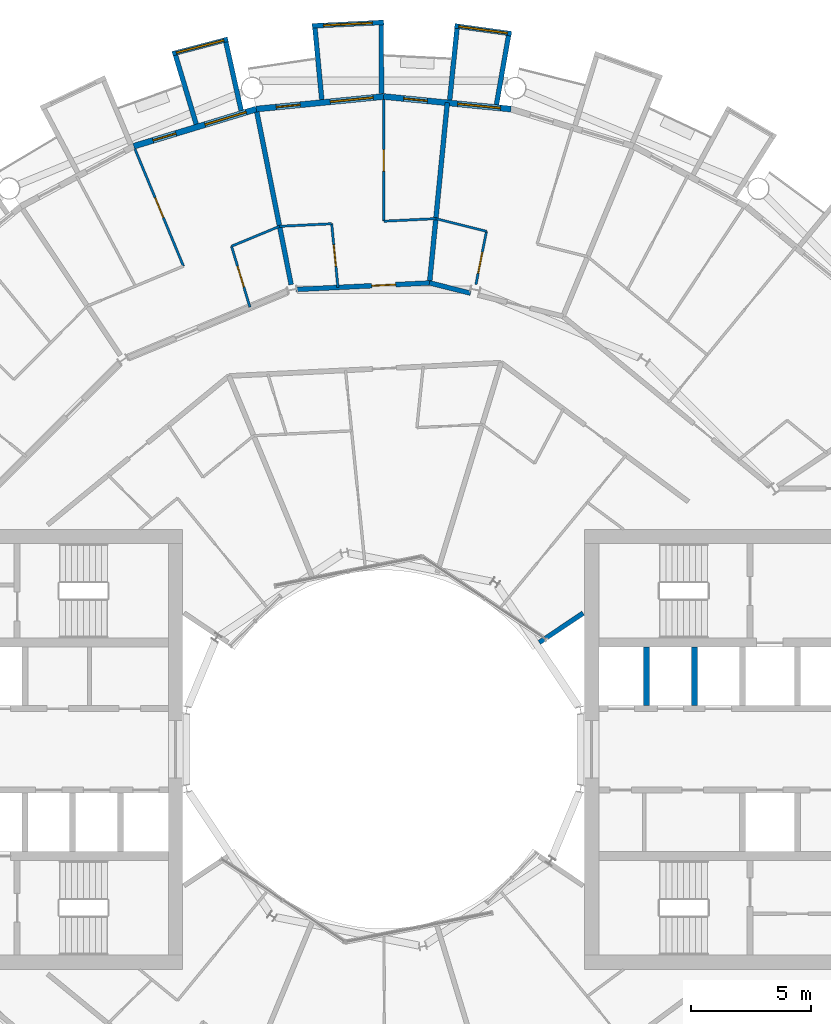
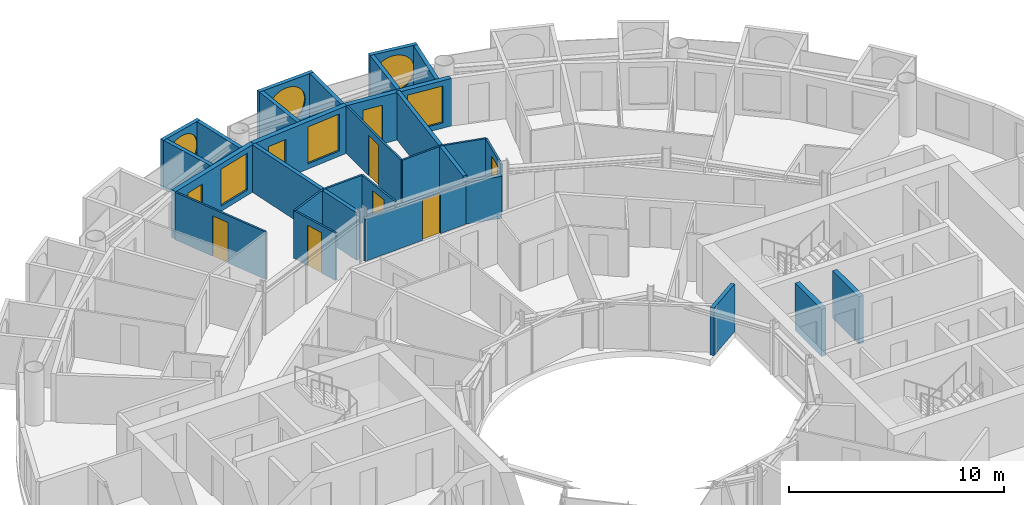
# One storey, part 21 of 27: 28 walls, 9 doors, 6 windows, 15 openings.
"""IFC4 building model written with IfcOpenShell, lengths in metres."""

import ifcopenshell
import ifcopenshell.guid

model = None  # the IFC model being written
_history = None  # IfcOwnerHistory: only IFC2X3 demands one
_inside = {}  # id of a spatial element -> (the spatial element, [elements in it])
_under = {}  # id of a project, library or spatial element -> (it, [spatial elements below it])
_declared = {}  # id of a project -> (the project, [libraries it declares])
_typed = {}  # id of a type object -> (the type object, [elements of that type])
_made_of = {}  # id of a material, layer set ... -> (it, [elements and type objects made of it])


def new_model(schema):
    """Start an empty IFC model of exactly this schema.

    Asked for "IFC4X3", IfcOpenShell would pick the latest addendum, in which some entities
    have other attributes; the version numbers below select the first issue.
    IFC2X3 requires an IfcOwnerHistory on every rooted entity: one is made here for all.
    """
    global model, _history
    if schema == "IFC4X3":
        model = ifcopenshell.file(schema_version=(4, 3, 0, 0))
    else:
        model = ifcopenshell.file(schema=schema)
    _inside.clear()
    _under.clear()
    _declared.clear()
    _typed.clear()
    _made_of.clear()
    _history = None
    if model.schema == "IFC2X3":
        org = make("IfcOrganization", Name="unknown")
        user = make(
            "IfcPersonAndOrganization",
            ThePerson=make("IfcPerson", FamilyName="unknown"),
            TheOrganization=org,
        )
        app = make(
            "IfcApplication",
            ApplicationDeveloper=org,
            Version="unknown",
            ApplicationFullName="unknown",
            ApplicationIdentifier="unknown",
        )
        _history = make(
            "IfcOwnerHistory",
            OwningUser=user,
            OwningApplication=app,
            ChangeAction="ADDED",
            CreationDate=0,
        )
    return model


def make(cls, **values):
    """One entity of the class cls with the attributes given. An attribute that is None is left unset."""
    return model.create_entity(
        cls, **{name: value for name, value in values.items() if value is not None}
    )


def rooted(cls, **values):
    """An entity with a GlobalId (a new one), such as an element, a storey or a relation."""
    return make(cls, GlobalId=ifcopenshell.guid.new(), OwnerHistory=_history, **values)


def si_unit(unit_type, name, prefix=None):
    """IfcSIUnit, for example si_unit("LENGTHUNIT", "METRE", prefix="MILLI")."""
    return make("IfcSIUnit", UnitType=unit_type, Prefix=prefix, Name=name)


def assignment(units):
    """IfcUnitAssignment: the units of a project."""
    return None if units is None else make("IfcUnitAssignment", Units=units)


def point(xyz):
    """IfcCartesianPoint."""
    return None if xyz is None else make("IfcCartesianPoint", Coordinates=xyz)


def direction(xyz):
    """IfcDirection."""
    return None if xyz is None else make("IfcDirection", DirectionRatios=xyz)


def frame(location, z_axis=None, x_axis=None):
    """IfcAxis2Placement3D, a coordinate frame: its origin and axes. An axis left out is left unset."""
    return make(
        "IfcAxis2Placement3D",
        Location=point(location),
        Axis=direction(z_axis),
        RefDirection=direction(x_axis),
    )


def frame_2d(location, x_axis=None):
    """IfcAxis2Placement2D, a coordinate frame in the plane: its origin and x axis."""
    return make(
        "IfcAxis2Placement2D", Location=point(location), RefDirection=direction(x_axis)
    )


def origin():
    """The frame at (0, 0, 0) with its axes left unset."""
    return frame((0.0, 0.0, 0.0))


def place(relative_to, where):
    """IfcLocalPlacement: puts the frame where relative to a parent placement (None: the world)."""
    return make(
        "IfcLocalPlacement", PlacementRelTo=relative_to, RelativePlacement=where
    )


def context(
    kind, dimensions, precision=None, world=None, true_north=None, identifier=None
):
    """IfcGeometricRepresentationContext, for example the 3D "Model" context."""
    return make(
        "IfcGeometricRepresentationContext",
        ContextIdentifier=identifier,
        ContextType=kind,
        CoordinateSpaceDimension=dimensions,
        Precision=precision,
        WorldCoordinateSystem=world,
        TrueNorth=true_north,
    )


def subcontext(parent, identifier, kind, view, scale=None):
    """IfcGeometricRepresentationSubContext, for example "Body" below "Model"."""
    return make(
        "IfcGeometricRepresentationSubContext",
        ContextIdentifier=identifier,
        ContextType=kind,
        ParentContext=parent,
        TargetScale=scale,
        TargetView=view,
    )


def project(units=None, contexts=None):
    """IfcProject with its units and contexts."""
    return rooted(
        "IfcProject",
        Name="project",
        RepresentationContexts=contexts,
        UnitsInContext=assignment(units),
    )


def spatial(cls, under=None, at=None, **own):
    """A site, building, storey or space (cls), placed at a placement, below another one or the project."""
    s = rooted(cls, ObjectPlacement=at, **own)
    if under is not None:
        _under.setdefault(under.id(), (under, []))[1].append(s)
    return s


def profile(cls, at=None, kind="AREA", **sizes):
    """A parametric profile (cls). Its sizes go by their IFC names, for example OverallWidth=200.0."""
    return make(cls, ProfileType=kind, Position=at, **sizes)


def rectangle(**sizes):
    """IfcRectangleProfileDef."""
    return profile("IfcRectangleProfileDef", **sizes)


def circle(**sizes):
    """IfcCircleProfileDef."""
    return profile("IfcCircleProfileDef", **sizes)


def extrude(swept, where, along, depth):
    """IfcExtrudedAreaSolid: the profile swept, set in the frame where, extruded along a direction by depth."""
    return make(
        "IfcExtrudedAreaSolid",
        SweptArea=swept,
        Position=where,
        ExtrudedDirection=direction(along),
        Depth=depth,
    )


def shape(context_of_items, identifier, shape_type, items):
    """IfcShapeRepresentation: the items that make up one representation, for example the "Body"."""
    return make(
        "IfcShapeRepresentation",
        ContextOfItems=context_of_items,
        RepresentationIdentifier=identifier,
        RepresentationType=shape_type,
        Items=items,
    )


def material(Name=None, Category=None):
    """IfcMaterial."""
    return make("IfcMaterial", Name=Name, Category=Category)


def layer(
    of_material, thickness, ventilated=None, Name=None, Category=None, Priority=None
):
    """IfcMaterialLayer: one layer of a wall or slab, of a material (None: an air gap)."""
    return make(
        "IfcMaterialLayer",
        Material=of_material,
        LayerThickness=thickness,
        IsVentilated=ventilated,
        Name=Name,
        Category=Category,
        Priority=Priority,
    )


def layer_set(layers, Name=None):
    """IfcMaterialLayerSet."""
    return make("IfcMaterialLayerSet", MaterialLayers=layers, LayerSetName=Name)


def made_of(thing, what):
    """Note that an element or type object is made of a material, layer set ...; save() writes the relation."""
    if what is not None:
        _made_of.setdefault(what.id(), (what, []))[1].append(thing)
    return thing


def type_object(cls, material=None, **own):
    """A type object (cls), such as IfcWallType, which elements share."""
    return made_of(rooted(cls, **own), material)


def element(
    cls,
    number,
    at=None,
    inside=None,
    cuts=None,
    type_object=None,
    material=None,
    context=None,
    identifier="Body",
    shape_type=None,
    held_by="IfcProductDefinitionShape",
    body=None,
    shapes=None,
    **own,
):
    """One element of the class cls, such as IfcWall. Its Tag is "e" and its number.

    at: its placement. inside: the storey or other place that contains it. cuts: it is an
    opening in that element (IfcRelVoidsElement). A single representation is given by context,
    identifier, shape_type and body (its items); several are given by shapes. held_by: the class
    of the entity that holds the representations. save() writes the other relations.
    """
    e = rooted(cls, Tag="e%d" % number, ObjectPlacement=at, **own)
    if body is not None:
        shapes = [shape(context, identifier, shape_type, body)]
    if shapes is not None:
        e.Representation = make(held_by, Representations=shapes)
    if inside is not None:
        _inside.setdefault(inside.id(), (inside, []))[1].append(e)
    if cuts is not None:
        rooted(
            "IfcRelVoidsElement", RelatingBuildingElement=cuts, RelatedOpeningElement=e
        )
    if type_object is not None:
        _typed.setdefault(type_object.id(), (type_object, []))[1].append(e)
    return made_of(e, material)


def fill(opening, filler):
    """IfcRelFillsElement: the door or window that sits in an opening."""
    return rooted(
        "IfcRelFillsElement",
        RelatingOpeningElement=opening,
        RelatedBuildingElement=filler,
    )


def aggregate(whole, parts):
    """IfcRelAggregates: a whole, such as a stair, and the parts it consists of."""
    return rooted("IfcRelAggregates", RelatingObject=whole, RelatedObjects=parts)


def save(model, path):
    """Write the relations noted so far, then the file.

    IfcRelAggregates (storeys below a building ...), IfcRelContainedInSpatialStructure (elements
    in a storey), IfcRelDefinesByType, IfcRelAssociatesMaterial and IfcRelDeclares: one each for
    every whole, place, type object, material and project.
    """
    for whole, parts in _under.values():
        aggregate(whole, parts)
    for where, things in _inside.values():
        rooted(
            "IfcRelContainedInSpatialStructure",
            RelatedElements=things,
            RelatingStructure=where,
        )
    for kind, things in _typed.values():
        rooted("IfcRelDefinesByType", RelatedObjects=things, RelatingType=kind)
    for what, things in _made_of.values():
        rooted("IfcRelAssociatesMaterial", RelatedObjects=things, RelatingMaterial=what)
    for by, libraries in _declared.values():
        rooted("IfcRelDeclares", RelatingContext=by, RelatedDefinitions=libraries)
    model.write(path)


model = new_model("IFC4")

# Units and contexts
model_context = context("Model", 3, precision=1e-05, world=origin(), true_north=direction((0.0, 1.0)))
body_context = subcontext(model_context, "Body", "Model", "MODEL_VIEW")
ifc_project = project(units=[si_unit("LENGTHUNIT", "METRE"), si_unit("AREAUNIT", "SQUARE_METRE"), si_unit("VOLUMEUNIT", "CUBIC_METRE"), si_unit("PLANEANGLEUNIT", "RADIAN"), si_unit("MASSUNIT", "GRAM", prefix="KILO")], contexts=[model_context])

# Site, building, storey
site_placement = place(None, origin())
site = spatial("IfcSite", under=ifc_project, at=site_placement, CompositionType="ELEMENT")
building_placement = place(site_placement, origin())
building = spatial("IfcBuilding", under=site, at=building_placement, Name="Maasbend Ring Residences", CompositionType="ELEMENT")
storey_placement = place(building_placement, frame((0.0, 0.0, 114.699951171875)))
storey = spatial("IfcBuildingStorey", under=building, at=storey_placement, Name="L32", CompositionType="ELEMENT", Elevation=114.699951171875)

# Wall, opening, door
ifc_material_1 = material(Name="Concrete C30/37", Category="concrete")
ifc_layer_1 = layer(ifc_material_1, 0.199951171875)
ifc_layer_set_1 = layer_set([ifc_layer_1], Name="Concrete C30/37")
wall_type_1 = type_object("IfcWallType", Name="CORRIDOR WALL 200 CONCRETE", PredefinedType="PARTITIONING", material=ifc_layer_set_1)
wall_1_placement = place(storey_placement, frame((-3.6689453125, 19.23095703125, 0.0), z_axis=(0.0, 0.0, 1.0), x_axis=(0.998803644396, 0.048900715146, 0.0)))
wall_1 = element("IfcWall", 1, at=wall_1_placement, inside=storey, type_object=wall_type_1, Name="U-L32-w102", PredefinedType="PARTITIONING", context=body_context, shape_type="SweptSolid", body=[
    extrude(rectangle(XDim=5.6015625, YDim=0.199951171875, at=frame_2d((2.80078125, 0.0))), origin(), (0.0, 0.0, 1.0), 2.39013671875),
])
opening_1_placement = place(wall_1_placement, frame((3.178955078125, 0.0, 0.0)))
opening_1 = element("IfcOpeningElement", 2, at=opening_1_placement, cuts=wall_1, Name="Opening D-3210", PredefinedType="OPENING", context=body_context, shape_type="SweptSolid", body=[
    extrude(rectangle(XDim=1.0, YDim=2.300048828125, at=frame_2d((0.5, 1.14990234375))), frame((0.0, 0.10986328125, 0.0), z_axis=(0.0, -1.0, 0.0), x_axis=(1.0, 0.0, 0.0)), (0.0, 0.0, 1.0), 0.219970703125),
])
ifc_material_2 = material(Name="Timber, fire-rated, painted", Category="wood")
door_type_1 = type_object("IfcDoorType", Name="FLAT ENTRANCE DOOR 1000 X 2300 FIRE-RATED", OperationType="NOTDEFINED", PredefinedType="DOOR", material=ifc_material_2)
door_1_placement = place(opening_1_placement, origin())
door_1 = element("IfcDoor", 3, at=door_1_placement, inside=storey, type_object=door_type_1, Name="D-3210", OperationType="SINGLE_SWING_RIGHT", OverallHeight=2.300048828125, OverallWidth=1.0, PredefinedType="DOOR", context=body_context, shape_type="SweptSolid", body=[
    extrude(rectangle(XDim=1.0, YDim=2.300048828125, at=frame_2d((0.5, 1.14990234375))), frame((0.0, 0.02490234375, 0.0), z_axis=(0.0, -1.0, 0.0), x_axis=(1.0, 0.0, 0.0)), (0.0, 0.0, 1.0), 0.050048828125),
])
fill(opening_1, door_1)

# Wall
wall_2_placement = place(storey_placement, frame((1.9208984375, 19.506103515625, 0.0), z_axis=(0.0, 0.0, 1.0), x_axis=(0.97002068022, -0.243022385689, 0.0)))
element("IfcWall", 4, at=wall_2_placement, inside=storey, type_object=wall_type_1, Name="U-L32-w103", PredefinedType="PARTITIONING", context=body_context, shape_type="SweptSolid", body=[
    extrude(rectangle(XDim=1.77001953125, YDim=0.199951171875, at=frame_2d((0.885009765625, 0.0))), origin(), (0.0, 0.0, 1.0), 2.39013671875),
])

# Wall, opening, window
ifc_material_3 = material(Name="Pale anodised aluminium panel", Category="aluminium")
ifc_layer_2 = layer(ifc_material_3, 0.199951171875)
ifc_layer_set_2 = layer_set([ifc_layer_2], Name="EW-BOX")
wall_type_2 = type_object("IfcWallType", Name="EW-BOX", PredefinedType="SOLIDWALL", material=ifc_layer_set_2)
wall_3_placement = place(storey_placement, frame((5.344970703125, 29.927001953125, -0.030029296875), z_axis=(0.0, 0.0, 1.0), x_axis=(-0.99061207328, 0.136703036805, 0.0)))
wall_3 = element("IfcWall", 5, at=wall_3_placement, inside=storey, type_object=wall_type_2, Name="Box front N09", PredefinedType="SOLIDWALL", context=body_context, shape_type="SweptSolid", body=[
    extrude(rectangle(XDim=2.391357421875, YDim=0.199951171875, at=frame_2d((1.19580078125, 0.0))), origin(), (0.0, 0.0, 1.0), 2.72998046875),
])
opening_2_placement = place(wall_3_placement, frame((0.15576171875, 0.0, 0.330078125)))
opening_2 = element("IfcOpeningElement", 6, at=opening_2_placement, cuts=wall_3, Name="Opening W-RD", PredefinedType="OPENING", context=body_context, shape_type="SweptSolid", body=[
    extrude(circle(Radius=1.0400390625, at=frame_2d((1.0400390625, 1.0400390625))), frame((0.0, 0.10986328125, 0.0), z_axis=(0.0, -1.0, 0.0), x_axis=(1.0, 0.0, 0.0)), (0.0, 0.0, 1.0), 0.219970703125),
])
ifc_material_4 = material(Name="Aluminium and clear glass", Category="aluminium")
window_type_1 = type_object("IfcWindowType", Name="W-RD", PartitioningType="SINGLE_PANEL", PredefinedType="WINDOW", material=ifc_material_4)
window_1_placement = place(opening_2_placement, origin())
window_1 = element("IfcWindow", 7, at=window_1_placement, inside=storey, type_object=window_type_1, Name="Round window N09", OverallHeight=2.080078125, OverallWidth=2.080078125, PartitioningType="SINGLE_PANEL", PredefinedType="WINDOW", context=body_context, shape_type="SweptSolid", body=[
    extrude(circle(Radius=1.0400390625, at=frame_2d((1.0400390625, 1.0400390625))), frame((0.0, 0.030029296875, 0.0), z_axis=(0.0, -1.0, 0.0), x_axis=(1.0, 0.0, 0.0)), (0.0, 0.0, 1.0), 0.06005859375),
])
fill(opening_2, window_1)

# Walls
wall_4_placement = place(storey_placement, frame((4.719970703125, 26.9609375, -0.030029296875), z_axis=(0.0, 0.0, 1.0), x_axis=(0.172463232037, 0.98501595601, 0.0)))
element("IfcWall", 8, at=wall_4_placement, inside=storey, type_object=wall_type_2, Name="Box side wall N09 left", PredefinedType="SOLIDWALL", context=body_context, shape_type="SweptSolid", body=[
    extrude(rectangle(XDim=2.928955078125, YDim=0.199951171875, at=frame_2d((1.46435546875, 0.0))), origin(), (0.0, 0.0, 1.0), 2.72998046875),
])
wall_5_placement = place(storey_placement, frame((2.763916015625, 27.153076171875, -0.030029296875), z_axis=(0.0, 0.0, 1.0), x_axis=(0.101505487237, 0.994834979311, 0.0)))
element("IfcWall", 9, at=wall_5_placement, inside=storey, type_object=wall_type_2, Name="Box side wall N09 right", PredefinedType="SOLIDWALL", context=body_context, shape_type="SweptSolid", body=[
    extrude(rectangle(XDim=3.006591796875, YDim=0.199951171875, at=frame_2d((1.50341796875, 0.0))), origin(), (0.0, 0.0, 1.0), 2.72998046875),
])

# Wall, opening, window
wall_6_placement = place(storey_placement, frame((0.0048828125, 30.39990234375, -0.030029296875), z_axis=(0.0, 0.0, 1.0), x_axis=(-0.998794083011, -0.049095618353, 0.0)))
wall_6 = element("IfcWall", 10, at=wall_6_placement, inside=storey, type_object=wall_type_2, Name="Box front N11", PredefinedType="SOLIDWALL", context=body_context, shape_type="SweptSolid", body=[
    extrude(rectangle(XDim=2.99365234375, YDim=0.199951171875, at=frame_2d((1.496826171875, 0.0))), origin(), (0.0, 0.0, 1.0), 2.72998046875),
])
opening_3_placement = place(wall_6_placement, frame((0.45654296875, 0.0, 0.330078125)))
opening_3 = element("IfcOpeningElement", 11, at=opening_3_placement, cuts=wall_6, Name="Opening W-RD", PredefinedType="OPENING", context=body_context, shape_type="SweptSolid", body=[
    extrude(circle(Radius=1.0400390625, at=frame_2d((1.0400390625, 1.0400390625))), frame((0.0, 0.10986328125, 0.0), z_axis=(0.0, -1.0, 0.0), x_axis=(1.0, 0.0, 0.0)), (0.0, 0.0, 1.0), 0.219970703125),
])
window_2_placement = place(opening_3_placement, origin())
window_2 = element("IfcWindow", 12, at=window_2_placement, inside=storey, type_object=window_type_1, Name="Round window N11", OverallHeight=2.080078125, OverallWidth=2.080078125, PartitioningType="SINGLE_PANEL", PredefinedType="WINDOW", context=body_context, shape_type="SweptSolid", body=[
    extrude(circle(Radius=1.0400390625, at=frame_2d((1.0400390625, 1.0400390625))), frame((0.0, 0.030029296875, 0.0), z_axis=(0.0, -1.0, 0.0), x_axis=(1.0, 0.0, 0.0)), (0.0, 0.0, 1.0), 0.06005859375),
])
fill(opening_3, window_2)

# Walls
wall_7_placement = place(storey_placement, frame((-0.090087890625, 27.4169921875, -0.030029296875), z_axis=(0.0, 0.0, 1.0), x_axis=(-0.00347308367, 0.999993968827, 0.0)))
element("IfcWall", 13, at=wall_7_placement, inside=storey, type_object=wall_type_2, Name="Box side wall N11 left", PredefinedType="SOLIDWALL", context=body_context, shape_type="SweptSolid", body=[
    extrude(rectangle(XDim=2.882080078125, YDim=0.199951171875, at=frame_2d((1.44091796875, 0.0))), origin(), (0.0, 0.0, 1.0), 2.72998046875),
])
wall_8_placement = place(storey_placement, frame((-2.5859375, 27.1708984375, -0.030029296875), z_axis=(0.0, 0.0, 1.0), x_axis=(-0.094548432284, 0.995520262954, 0.0)))
element("IfcWall", 14, at=wall_8_placement, inside=storey, type_object=wall_type_2, Name="Box side wall N11 right", PredefinedType="SOLIDWALL", context=body_context, shape_type="SweptSolid", body=[
    extrude(rectangle(XDim=3.005615234375, YDim=0.199951171875, at=frame_2d((1.5029296875, 0.0))), origin(), (0.0, 0.0, 1.0), 2.72998046875),
])

# Wall, opening, window
wall_9_placement = place(storey_placement, frame((-6.514892578125, 29.694091796875, -0.030029296875), z_axis=(0.0, 0.0, 1.0), x_axis=(-0.967554339146, -0.252663018266, 0.0)))
wall_9 = element("IfcWall", 15, at=wall_9_placement, inside=storey, type_object=wall_type_2, Name="Box front N13", PredefinedType="SOLIDWALL", context=body_context, shape_type="SweptSolid", body=[
    extrude(rectangle(XDim=2.390625, YDim=0.199951171875, at=frame_2d((1.1953125, 0.0))), origin(), (0.0, 0.0, 1.0), 2.72998046875),
])
opening_4_placement = place(wall_9_placement, frame((0.15576171875, 0.0, 0.330078125)))
opening_4 = element("IfcOpeningElement", 16, at=opening_4_placement, cuts=wall_9, Name="Opening W-RD", PredefinedType="OPENING", context=body_context, shape_type="SweptSolid", body=[
    extrude(circle(Radius=1.0400390625, at=frame_2d((1.0400390625, 1.0400390625))), frame((0.0, 0.10986328125, 0.0), z_axis=(0.0, -1.0, 0.0), x_axis=(1.0, 0.0, 0.0)), (0.0, 0.0, 1.0), 0.219970703125),
])
window_3_placement = place(opening_4_placement, origin())
window_3 = element("IfcWindow", 17, at=window_3_placement, inside=storey, type_object=window_type_1, Name="Round window N13", OverallHeight=2.080078125, OverallWidth=2.080078125, PartitioningType="SINGLE_PANEL", PredefinedType="WINDOW", context=body_context, shape_type="SweptSolid", body=[
    extrude(circle(Radius=1.0400390625, at=frame_2d((1.0400390625, 1.0400390625))), frame((0.0, 0.030029296875, 0.0), z_axis=(0.0, -1.0, 0.0), x_axis=(1.0, 0.0, 0.0)), (0.0, 0.0, 1.0), 0.06005859375),
])
fill(opening_4, window_3)

# Walls
wall_10_placement = place(storey_placement, frame((-5.95703125, 26.715087890625, -0.030029296875), z_axis=(0.0, 0.0, 1.0), x_axis=(-0.217857287091, 0.975980636315, 0.0)))
element("IfcWall", 18, at=wall_10_placement, inside=storey, type_object=wall_type_2, Name="Box side wall N13 left", PredefinedType="SOLIDWALL", context=body_context, shape_type="SweptSolid", body=[
    extrude(rectangle(XDim=2.92822265625, YDim=0.199951171875, at=frame_2d((1.464111328125, 0.0))), origin(), (0.0, 0.0, 1.0), 2.72998046875),
])
wall_11_placement = place(storey_placement, frame((-7.8369140625, 26.14404296875, -0.030029296875), z_axis=(0.0, 0.0, 1.0), x_axis=(-0.287064767992, 0.957911174889, 0.0)))
element("IfcWall", 19, at=wall_11_placement, inside=storey, type_object=wall_type_2, Name="Box side wall N13 right", PredefinedType="SOLIDWALL", context=body_context, shape_type="SweptSolid", body=[
    extrude(rectangle(XDim=3.00634765625, YDim=0.199951171875, at=frame_2d((1.503173828125, 0.0))), origin(), (0.0, 0.0, 1.0), 2.72998046875),
])

# Wall, openings, door, window
ifc_material_5 = material(Name="Aluminium clad insulated panel", Category="aluminium")
ifc_layer_3 = layer(ifc_material_5, 0.25)
ifc_layer_set_3 = layer_set([ifc_layer_3], Name="EW-GL")
wall_type_3 = type_object("IfcWallType", Name="EW-GL", PredefinedType="SOLIDWALL", material=ifc_layer_set_3)
wall_12_placement = place(storey_placement, frame((5.325927734375, 26.77490234375, 0.0), z_axis=(0.0, 0.0, 1.0), x_axis=(-0.995173996315, 0.098126026407, 0.0)))
wall_12 = element("IfcWall", 20, at=wall_12_placement, inside=storey, type_object=wall_type_3, Name="External wall N05", PredefinedType="SOLIDWALL", context=body_context, shape_type="SweptSolid", body=[
    extrude(rectangle(XDim=5.351806640625, YDim=0.25, at=frame_2d((2.67578125, 0.0))), origin(), (0.0, 0.0, 1.0), 2.699951171875),
])
opening_5_placement = place(wall_12_placement, frame((0.441162109375, 0.0, 0.300048828125)))
opening_5 = element("IfcOpeningElement", 21, at=opening_5_placement, cuts=wall_12, Name="Opening W-BX", PredefinedType="OPENING", context=body_context, shape_type="SweptSolid", body=[
    extrude(rectangle(XDim=1.800048828125, YDim=2.10009765625, at=frame_2d((0.89990234375, 1.050048828125))), frame((0.0, 0.135009765625, 0.0), z_axis=(0.0, -1.0, 0.0), x_axis=(1.0, 0.0, 0.0)), (0.0, 0.0, 1.0), 0.27001953125),
])
opening_6_placement = place(wall_12_placement, frame((3.510498046875, 0.0, 0.0)))
opening_6 = element("IfcOpeningElement", 22, at=opening_6_placement, cuts=wall_12, Name="Opening D-LG", PredefinedType="OPENING", context=body_context, shape_type="SweptSolid", body=[
    extrude(rectangle(XDim=1.0, YDim=2.199951171875, at=frame_2d((0.5, 1.10009765625))), frame((0.0, 0.135009765625, 0.0), z_axis=(0.0, -1.0, 0.0), x_axis=(1.0, 0.0, 0.0)), (0.0, 0.0, 1.0), 0.27001953125),
])
ifc_material_6 = material(Name="Aluminium and clear glass", Category="aluminium")
door_type_2 = type_object("IfcDoorType", Name="D-LG", OperationType="SINGLE_SWING_LEFT", PredefinedType="DOOR", material=ifc_material_6)
door_2_placement = place(opening_6_placement, origin())
door_2 = element("IfcDoor", 23, at=door_2_placement, inside=storey, type_object=door_type_2, Name="Loggia door N10", OperationType="SINGLE_SWING_LEFT", OverallHeight=2.199951171875, OverallWidth=1.0, PredefinedType="DOOR", context=body_context, shape_type="SweptSolid", body=[
    extrude(rectangle(XDim=1.0, YDim=2.199951171875, at=frame_2d((0.5, 1.10009765625))), frame((0.0, 0.02490234375, 0.0), z_axis=(0.0, -1.0, 0.0), x_axis=(1.0, 0.0, 0.0)), (0.0, 0.0, 1.0), 0.050048828125),
])
fill(opening_6, door_2)
ifc_material_7 = material(Name="Aluminium and clear glass", Category="aluminium")
window_type_2 = type_object("IfcWindowType", Name="W-BX", PartitioningType="DOUBLE_PANEL_VERTICAL", PredefinedType="WINDOW", material=ifc_material_7)
window_4_placement = place(opening_5_placement, origin())
window_4 = element("IfcWindow", 24, at=window_4_placement, inside=storey, type_object=window_type_2, Name="Window N09 room to box", OverallHeight=2.10009765625, OverallWidth=1.800048828125, PartitioningType="SINGLE_PANEL", PredefinedType="WINDOW", context=body_context, shape_type="SweptSolid", body=[
    extrude(rectangle(XDim=1.800048828125, YDim=2.10009765625, at=frame_2d((0.89990234375, 1.050048828125))), frame((0.0, 0.030029296875, 0.0), z_axis=(0.0, -1.0, 0.0), x_axis=(1.0, 0.0, 0.0)), (0.0, 0.0, 1.0), 0.06005859375),
])
fill(opening_5, window_4)

wall_13_placement = place(storey_placement, frame((0.0, 27.300048828125, 0.0), z_axis=(0.0, 0.0, 1.0), x_axis=(-0.995173996315, -0.098126026407, 0.0)))
wall_13 = element("IfcWall", 25, at=wall_13_placement, inside=storey, type_object=wall_type_3, Name="External wall N06", PredefinedType="SOLIDWALL", context=body_context, shape_type="SweptSolid", body=[
    extrude(rectangle(XDim=5.351806640625, YDim=0.25, at=frame_2d((2.67578125, 0.0))), origin(), (0.0, 0.0, 1.0), 2.699951171875),
])
opening_7_placement = place(wall_13_placement, frame((0.441162109375, 0.0, 0.300048828125)))
opening_7 = element("IfcOpeningElement", 26, at=opening_7_placement, cuts=wall_13, Name="Opening W-BX", PredefinedType="OPENING", context=body_context, shape_type="SweptSolid", body=[
    extrude(rectangle(XDim=1.800048828125, YDim=2.10009765625, at=frame_2d((0.89990234375, 1.050048828125))), frame((0.0, 0.135009765625, 0.0), z_axis=(0.0, -1.0, 0.0), x_axis=(1.0, 0.0, 0.0)), (0.0, 0.0, 1.0), 0.27001953125),
])
opening_8_placement = place(wall_13_placement, frame((3.510498046875, 0.0, 0.0)))
opening_8 = element("IfcOpeningElement", 27, at=opening_8_placement, cuts=wall_13, Name="Opening D-LG", PredefinedType="OPENING", context=body_context, shape_type="SweptSolid", body=[
    extrude(rectangle(XDim=1.0, YDim=2.199951171875, at=frame_2d((0.5, 1.10009765625))), frame((0.0, 0.135009765625, 0.0), z_axis=(0.0, -1.0, 0.0), x_axis=(1.0, 0.0, 0.0)), (0.0, 0.0, 1.0), 0.27001953125),
])
door_3_placement = place(opening_8_placement, origin())
door_3 = element("IfcDoor", 28, at=door_3_placement, inside=storey, type_object=door_type_2, Name="Loggia door N12", OperationType="SINGLE_SWING_LEFT", OverallHeight=2.199951171875, OverallWidth=1.0, PredefinedType="DOOR", context=body_context, shape_type="SweptSolid", body=[
    extrude(rectangle(XDim=1.0, YDim=2.199951171875, at=frame_2d((0.5, 1.10009765625))), frame((0.0, 0.02490234375, 0.0), z_axis=(0.0, -1.0, 0.0), x_axis=(1.0, 0.0, 0.0)), (0.0, 0.0, 1.0), 0.050048828125),
])
fill(opening_8, door_3)
window_5_placement = place(opening_7_placement, origin())
window_5 = element("IfcWindow", 29, at=window_5_placement, inside=storey, type_object=window_type_2, Name="Window N11 room to box", OverallHeight=2.10009765625, OverallWidth=1.800048828125, PartitioningType="SINGLE_PANEL", PredefinedType="WINDOW", context=body_context, shape_type="SweptSolid", body=[
    extrude(rectangle(XDim=1.800048828125, YDim=2.10009765625, at=frame_2d((0.89990234375, 1.050048828125))), frame((0.0, 0.030029296875, 0.0), z_axis=(0.0, -1.0, 0.0), x_axis=(1.0, 0.0, 0.0)), (0.0, 0.0, 1.0), 0.06005859375),
])
fill(opening_7, window_5)

wall_14_placement = place(storey_placement, frame((-5.325927734375, 26.77490234375, 0.0), z_axis=(0.0, 0.0, 1.0), x_axis=(-0.956965678721, -0.290201119486, 0.0)))
wall_14 = element("IfcWall", 30, at=wall_14_placement, inside=storey, type_object=wall_type_3, Name="External wall N07", PredefinedType="SOLIDWALL", context=body_context, shape_type="SweptSolid", body=[
    extrude(rectangle(XDim=5.351318359375, YDim=0.25, at=frame_2d((2.67578125, 0.0))), origin(), (0.0, 0.0, 1.0), 2.699951171875),
])
opening_9_placement = place(wall_14_placement, frame((0.441162109375, 0.0, 0.300048828125)))
opening_9 = element("IfcOpeningElement", 31, at=opening_9_placement, cuts=wall_14, Name="Opening W-BX", PredefinedType="OPENING", context=body_context, shape_type="SweptSolid", body=[
    extrude(rectangle(XDim=1.800048828125, YDim=2.10009765625, at=frame_2d((0.89990234375, 1.050048828125))), frame((0.0, 0.135009765625, 0.0), z_axis=(0.0, -1.0, 0.0), x_axis=(1.0, 0.0, 0.0)), (0.0, 0.0, 1.0), 0.27001953125),
])
opening_10_placement = place(wall_14_placement, frame((3.510498046875, 0.0, 0.0)))
opening_10 = element("IfcOpeningElement", 32, at=opening_10_placement, cuts=wall_14, Name="Opening D-LG", PredefinedType="OPENING", context=body_context, shape_type="SweptSolid", body=[
    extrude(rectangle(XDim=1.0, YDim=2.199951171875, at=frame_2d((0.5, 1.10009765625))), frame((0.0, 0.135009765625, 0.0), z_axis=(0.0, -1.0, 0.0), x_axis=(1.0, 0.0, 0.0)), (0.0, 0.0, 1.0), 0.27001953125),
])
door_4_placement = place(opening_10_placement, origin())
door_4 = element("IfcDoor", 33, at=door_4_placement, inside=storey, type_object=door_type_2, Name="Loggia door N14", OperationType="SINGLE_SWING_LEFT", OverallHeight=2.199951171875, OverallWidth=1.0, PredefinedType="DOOR", context=body_context, shape_type="SweptSolid", body=[
    extrude(rectangle(XDim=1.0, YDim=2.199951171875, at=frame_2d((0.5, 1.10009765625))), frame((0.0, 0.02490234375, 0.0), z_axis=(0.0, -1.0, 0.0), x_axis=(1.0, 0.0, 0.0)), (0.0, 0.0, 1.0), 0.050048828125),
])
fill(opening_10, door_4)
window_6_placement = place(opening_9_placement, origin())
window_6 = element("IfcWindow", 34, at=window_6_placement, inside=storey, type_object=window_type_2, Name="Window N13 room to box", OverallHeight=2.10009765625, OverallWidth=1.800048828125, PartitioningType="SINGLE_PANEL", PredefinedType="WINDOW", context=body_context, shape_type="SweptSolid", body=[
    extrude(rectangle(XDim=1.800048828125, YDim=2.10009765625, at=frame_2d((0.89990234375, 1.050048828125))), frame((0.0, 0.030029296875, 0.0), z_axis=(0.0, -1.0, 0.0), x_axis=(1.0, 0.0, 0.0)), (0.0, 0.0, 1.0), 0.06005859375),
])
fill(opening_9, window_6)

# Wall, opening, door
ifc_material_8 = material(Name="Gypsum board on steel studs", Category="steel")
ifc_layer_4 = layer(ifc_material_8, 0.10009765625)
ifc_layer_set_4 = layer_set([ifc_layer_4], Name="PARTITION 100 GYPSUM")
wall_type_4 = type_object("IfcWallType", Name="PARTITION 100 GYPSUM", PredefinedType="PARTITIONING", material=ifc_layer_set_4)
wall_15_placement = place(storey_placement, frame((-10.39892578125, 25.10595703125, 0.0), z_axis=(0.0, 0.0, 1.0), x_axis=(0.382620183578, -0.92390572848, 0.0)))
wall_15 = element("IfcWall", 35, at=wall_15_placement, inside=storey, type_object=wall_type_4, Name="U-L32-w043", PredefinedType="PARTITIONING", context=body_context, shape_type="SweptSolid", body=[
    extrude(rectangle(XDim=5.302490234375, YDim=0.10009765625, at=frame_2d((2.6513671875, 0.0))), origin(), (0.0, 0.0, 1.0), 2.699951171875),
])
opening_11_placement = place(wall_15_placement, frame((2.200927734375, 0.0, 0.0)))
opening_11 = element("IfcOpeningElement", 36, at=opening_11_placement, cuts=wall_15, Name="Opening D-3215", PredefinedType="OPENING", context=body_context, shape_type="SweptSolid", body=[
    extrude(rectangle(XDim=0.89990234375, YDim=2.300048828125, at=frame_2d((0.449951171875, 1.14990234375))), frame((0.0, 0.06005859375, 0.0), z_axis=(0.0, -1.0, 0.0), x_axis=(1.0, 0.0, 0.0)), (0.0, 0.0, 1.0), 0.1201171875),
])
ifc_material_9 = material(Name="Timber, painted", Category="wood")
door_type_3 = type_object("IfcDoorType", Name="INTERNAL DOOR 900 X 2300", OperationType="NOTDEFINED", PredefinedType="DOOR", material=ifc_material_9)
door_5_placement = place(opening_11_placement, origin())
door_5 = element("IfcDoor", 37, at=door_5_placement, inside=storey, type_object=door_type_3, Name="D-3215", OperationType="SINGLE_SWING_LEFT", OverallHeight=2.300048828125, OverallWidth=0.89990234375, PredefinedType="DOOR", context=body_context, shape_type="SweptSolid", body=[
    extrude(rectangle(XDim=0.89990234375, YDim=2.300048828125, at=frame_2d((0.449951171875, 1.14990234375))), frame((0.0, 0.02490234375, 0.0), z_axis=(0.0, -1.0, 0.0), x_axis=(1.0, 0.0, 0.0)), (0.0, 0.0, 1.0), 0.050048828125),
])
fill(opening_11, door_5)

wall_16_placement = place(storey_placement, frame((-6.360107421875, 21.0390625, 0.0), z_axis=(0.0, 0.0, 1.0), x_axis=(0.289375816213, -0.957215564537, 0.0)))
wall_16 = element("IfcWall", 38, at=wall_16_placement, inside=storey, type_object=wall_type_4, Name="U-L32-w051", PredefinedType="PARTITIONING", context=body_context, shape_type="SweptSolid", body=[
    extrude(rectangle(XDim=2.660888671875, YDim=0.10009765625, at=frame_2d((1.33056640625, 0.0))), origin(), (0.0, 0.0, 1.0), 2.699951171875),
])
opening_12_placement = place(wall_16_placement, frame((0.8798828125, 0.0, 0.0)))
opening_12 = element("IfcOpeningElement", 39, at=opening_12_placement, cuts=wall_16, Name="Opening D-3214", PredefinedType="OPENING", context=body_context, shape_type="SweptSolid", body=[
    extrude(rectangle(XDim=0.89990234375, YDim=2.300048828125, at=frame_2d((0.449951171875, 1.14990234375))), frame((0.0, 0.06005859375, 0.0), z_axis=(0.0, -1.0, 0.0), x_axis=(1.0, 0.0, 0.0)), (0.0, 0.0, 1.0), 0.1201171875),
])
door_6_placement = place(opening_12_placement, origin())
door_6 = element("IfcDoor", 40, at=door_6_placement, inside=storey, type_object=door_type_3, Name="D-3214", OperationType="SINGLE_SWING_LEFT", OverallHeight=2.300048828125, OverallWidth=0.89990234375, PredefinedType="DOOR", context=body_context, shape_type="SweptSolid", body=[
    extrude(rectangle(XDim=0.89990234375, YDim=2.300048828125, at=frame_2d((0.449951171875, 1.14990234375))), frame((0.0, 0.02490234375, 0.0), z_axis=(0.0, -1.0, 0.0), x_axis=(1.0, 0.0, 0.0)), (0.0, 0.0, 1.0), 0.050048828125),
])
fill(opening_12, door_6)

wall_17_placement = place(storey_placement, frame((-2.172119140625, 21.97900390625, 0.0), z_axis=(0.0, 0.0, 1.0), x_axis=(0.098383180323, -0.995148606907, 0.0)))
wall_17 = element("IfcWall", 41, at=wall_17_placement, inside=storey, type_object=wall_type_4, Name="U-L32-w055", PredefinedType="PARTITIONING", context=body_context, shape_type="SweptSolid", body=[
    extrude(rectangle(XDim=2.675048828125, YDim=0.10009765625, at=frame_2d((1.33740234375, 0.0))), origin(), (0.0, 0.0, 1.0), 2.699951171875),
])
opening_13_placement = place(wall_17_placement, frame((0.886962890625, 0.0, 0.0)))
opening_13 = element("IfcOpeningElement", 42, at=opening_13_placement, cuts=wall_17, Name="Opening D-3211", PredefinedType="OPENING", context=body_context, shape_type="SweptSolid", body=[
    extrude(rectangle(XDim=0.89990234375, YDim=2.300048828125, at=frame_2d((0.449951171875, 1.14990234375))), frame((0.0, 0.06005859375, 0.0), z_axis=(0.0, -1.0, 0.0), x_axis=(1.0, 0.0, 0.0)), (0.0, 0.0, 1.0), 0.1201171875),
])
door_7_placement = place(opening_13_placement, origin())
door_7 = element("IfcDoor", 43, at=door_7_placement, inside=storey, type_object=door_type_3, Name="D-3211", OperationType="SINGLE_SWING_RIGHT", OverallHeight=2.300048828125, OverallWidth=0.89990234375, PredefinedType="DOOR", context=body_context, shape_type="SweptSolid", body=[
    extrude(rectangle(XDim=0.89990234375, YDim=2.300048828125, at=frame_2d((0.449951171875, 1.14990234375))), frame((0.0, 0.02490234375, 0.0), z_axis=(0.0, -1.0, 0.0), x_axis=(1.0, 0.0, 0.0)), (0.0, 0.0, 1.0), 0.050048828125),
])
fill(opening_13, door_7)

wall_18_placement = place(storey_placement, frame((0.007080078125, 22.0859375, 0.0), z_axis=(0.0, 0.0, 1.0), x_axis=(0.000383785052, 0.999999926355, 0.0)))
wall_18 = element("IfcWall", 44, at=wall_18_placement, inside=storey, type_object=wall_type_4, Name="U-L32-w057", PredefinedType="PARTITIONING", context=body_context, shape_type="SweptSolid", body=[
    extrude(rectangle(XDim=5.089111328125, YDim=0.10009765625, at=frame_2d((2.54443359375, 0.0))), origin(), (0.0, 0.0, 1.0), 2.699951171875),
])
opening_14_placement = place(wall_18_placement, frame((2.094970703125, 0.0, 0.0)))
opening_14 = element("IfcOpeningElement", 45, at=opening_14_placement, cuts=wall_18, Name="Opening D-3212", PredefinedType="OPENING", context=body_context, shape_type="SweptSolid", body=[
    extrude(rectangle(XDim=0.89990234375, YDim=2.300048828125, at=frame_2d((0.449951171875, 1.14990234375))), frame((0.0, 0.06005859375, 0.0), z_axis=(0.0, -1.0, 0.0), x_axis=(1.0, 0.0, 0.0)), (0.0, 0.0, 1.0), 0.1201171875),
])
door_8_placement = place(opening_14_placement, origin())
door_8 = element("IfcDoor", 46, at=door_8_placement, inside=storey, type_object=door_type_3, Name="D-3212", OperationType="SINGLE_SWING_RIGHT", OverallHeight=2.300048828125, OverallWidth=0.89990234375, PredefinedType="DOOR", context=body_context, shape_type="SweptSolid", body=[
    extrude(rectangle(XDim=0.89990234375, YDim=2.300048828125, at=frame_2d((0.449951171875, 1.14990234375))), frame((0.0, 0.02490234375, 0.0), z_axis=(0.0, -1.0, 0.0), x_axis=(1.0, 0.0, 0.0)), (0.0, 0.0, 1.0), 0.050048828125),
])
fill(opening_14, door_8)

wall_19_placement = place(storey_placement, frame((3.860107421875, 19.43603515625, 0.0), z_axis=(0.0, 0.0, 1.0), x_axis=(0.194627049372, 0.98087731733, 0.0)))
wall_19 = element("IfcWall", 47, at=wall_19_placement, inside=storey, type_object=wall_type_4, Name="U-L32-w066", PredefinedType="PARTITIONING", context=body_context, shape_type="SweptSolid", body=[
    extrude(rectangle(XDim=2.2705078125, YDim=0.10009765625, at=frame_2d((1.13525390625, 0.0))), origin(), (0.0, 0.0, 1.0), 2.699951171875),
])
opening_15_placement = place(wall_19_placement, frame((0.48291015625, 0.0, 0.0)))
opening_15 = element("IfcOpeningElement", 48, at=opening_15_placement, cuts=wall_19, Name="Opening D-3208", PredefinedType="OPENING", context=body_context, shape_type="SweptSolid", body=[
    extrude(rectangle(XDim=0.89990234375, YDim=2.300048828125, at=frame_2d((0.449951171875, 1.14990234375))), frame((0.0, 0.06005859375, 0.0), z_axis=(0.0, -1.0, 0.0), x_axis=(1.0, 0.0, 0.0)), (0.0, 0.0, 1.0), 0.1201171875),
])
door_9_placement = place(opening_15_placement, origin())
door_9 = element("IfcDoor", 49, at=door_9_placement, inside=storey, type_object=door_type_3, Name="D-3208", OperationType="SINGLE_SWING_LEFT", OverallHeight=2.300048828125, OverallWidth=0.89990234375, PredefinedType="DOOR", context=body_context, shape_type="SweptSolid", body=[
    extrude(rectangle(XDim=0.89990234375, YDim=2.300048828125, at=frame_2d((0.449951171875, 1.14990234375))), frame((0.0, 0.02490234375, 0.0), z_axis=(0.0, -1.0, 0.0), x_axis=(1.0, 0.0, 0.0)), (0.0, 0.0, 1.0), 0.050048828125),
])
fill(opening_15, door_9)

# Walls
wall_20_placement = place(storey_placement, frame((-6.360107421875, 21.0390625, 0.0), z_axis=(0.0, 0.0, 1.0), x_axis=(0.923743082263, 0.383012686436, 0.0)))
element("IfcWall", 50, at=wall_20_placement, inside=storey, type_object=wall_type_4, Name="U-L32-w112", PredefinedType="PARTITIONING", context=body_context, shape_type="SweptSolid", body=[
    extrude(rectangle(XDim=2.1748046875, YDim=0.10009765625, at=frame_2d((1.08740234375, 0.0))), origin(), (0.0, 0.0, 1.0), 2.699951171875),
])
for number, where, z_axis, x_axis, name in (
    (51, (-4.35107421875, 21.8720703125, 0.0), (0.0, 0.0, 1.0), (0.998797962079, 0.049016639484, 0.0), "U-L32-w113"),
    (52, (0.007080078125, 22.0859375, 0.0), (0.0, 0.0, 1.0), (0.998792477005, 0.049128279821, 0.0), "U-L32-w114"),
):
    element("IfcWall", number, at=place(storey_placement, frame(where, z_axis=z_axis, x_axis=x_axis)), inside=storey, type_object=wall_type_4, Name=name, PredefinedType="PARTITIONING", context=body_context, shape_type="SweptSolid", body=[
        extrude(rectangle(XDim=2.181640625, YDim=0.10009765625, at=frame_2d((1.0908203125, 0.0))), origin(), (0.0, 0.0, 1.0), 2.699951171875),
    ])
wall_21_placement = place(storey_placement, frame((2.18603515625, 22.193115234375, 0.0), z_axis=(0.0, 0.0, 1.0), x_axis=(0.97003047456, -0.242983288366, 0.0)))
element("IfcWall", 53, at=wall_21_placement, inside=storey, type_object=wall_type_4, Name="U-L32-w115", PredefinedType="PARTITIONING", context=body_context, shape_type="SweptSolid", body=[
    extrude(rectangle(XDim=2.181396484375, YDim=0.10009765625, at=frame_2d((1.0908203125, 0.0))), origin(), (0.0, 0.0, 1.0), 2.699951171875),
])
ifc_material_10 = material(Name="Concrete C30/37", Category="concrete")
ifc_layer_5 = layer(ifc_material_10, 0.199951171875)
ifc_layer_set_5 = layer_set([ifc_layer_5], Name="Concrete C30/37")
wall_type_5 = type_object("IfcWallType", Name="PARTY WALL 200 CONCRETE", PredefinedType="PARTITIONING", material=ifc_layer_set_5)
wall_22_placement = place(storey_placement, frame((-5.302001953125, 26.653076171875, 0.0), z_axis=(0.0, 0.0, 1.0), x_axis=(0.195127206499, -0.980777942902, 0.0)))
element("IfcWall", 54, at=wall_22_placement, inside=storey, type_object=wall_type_5, Name="U-L32-w052", PredefinedType="PARTITIONING", context=body_context, shape_type="SweptSolid", body=[
    extrude(rectangle(XDim=7.359375, YDim=0.199951171875, at=frame_2d((3.6796875, 0.0))), origin(), (0.0, 0.0, 1.0), 2.699951171875),
])
wall_23_placement = place(storey_placement, frame((1.9208984375, 19.506103515625, 0.0), z_axis=(0.0, 0.0, 1.0), x_axis=(0.098115395479, 0.995175044487, 0.0)))
element("IfcWall", 55, at=wall_23_placement, inside=storey, type_object=wall_type_5, Name="U-L32-w061", PredefinedType="PARTITIONING", context=body_context, shape_type="SweptSolid", body=[
    extrude(rectangle(XDim=7.574462890625, YDim=0.199951171875, at=frame_2d((3.787109375, 0.0))), origin(), (0.0, 0.0, 1.0), 2.699951171875),
])
wall_24_placement = place(storey_placement, frame((6.512939453125, 4.471923828125, 0.0), z_axis=(0.0, 0.0, 1.0), x_axis=(0.831333375071, 0.555774072347, 0.0)))
element("IfcWall", 56, at=wall_24_placement, inside=storey, type_object=wall_type_5, Name="U-L32-w087", PredefinedType="PARTITIONING", context=body_context, shape_type="SweptSolid", body=[
    extrude(rectangle(XDim=2.20263671875, YDim=0.199951171875, at=frame_2d((1.101318359375, 0.0))), origin(), (0.0, 0.0, 1.0), 2.699951171875),
])
ifc_material_11 = material(Name="Concrete C30/37", Category="concrete")
ifc_layer_6 = layer(ifc_material_11, 0.25)
ifc_layer_set_6 = layer_set([ifc_layer_6], Name="Concrete C30/37")
wall_type_6 = type_object("IfcWallType", Name="SHAFT WALL 250 EI 120", PredefinedType="SOLIDWALL", material=ifc_layer_set_6)
for number, where, z_axis, x_axis, name in (
    (57, (11.0, 1.824951171875, 0.0), (0.0, 0.0, 1.0), (0.0, 1.0, 0.0), "L32 core E wall D110N"),
    (58, (13.0, 1.824951171875, 0.0), (0.0, 0.0, 1.0), (0.0, 1.0, 0.0), "L32 core E wall D130N"),
):
    element("IfcWall", number, at=place(storey_placement, frame(where, z_axis=z_axis, x_axis=x_axis)), inside=storey, type_object=wall_type_6, Name=name, PredefinedType="SOLIDWALL", context=body_context, shape_type="SweptSolid", body=[
        extrude(rectangle(XDim=2.449951171875, YDim=0.25, at=frame_2d((1.22509765625, 0.0))), origin(), (0.0, 0.0, 1.0), 2.699951171875),
    ])

save(model, "model.ifc")
